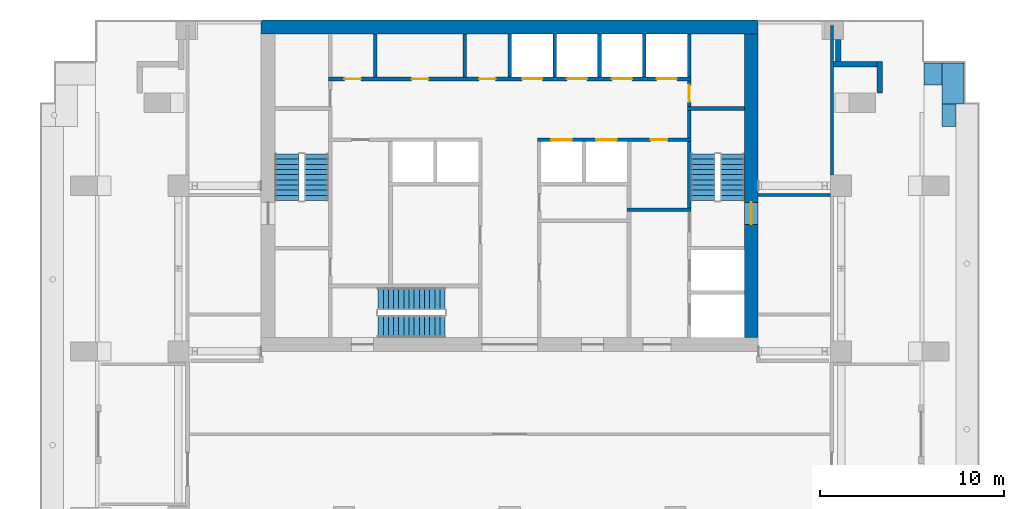
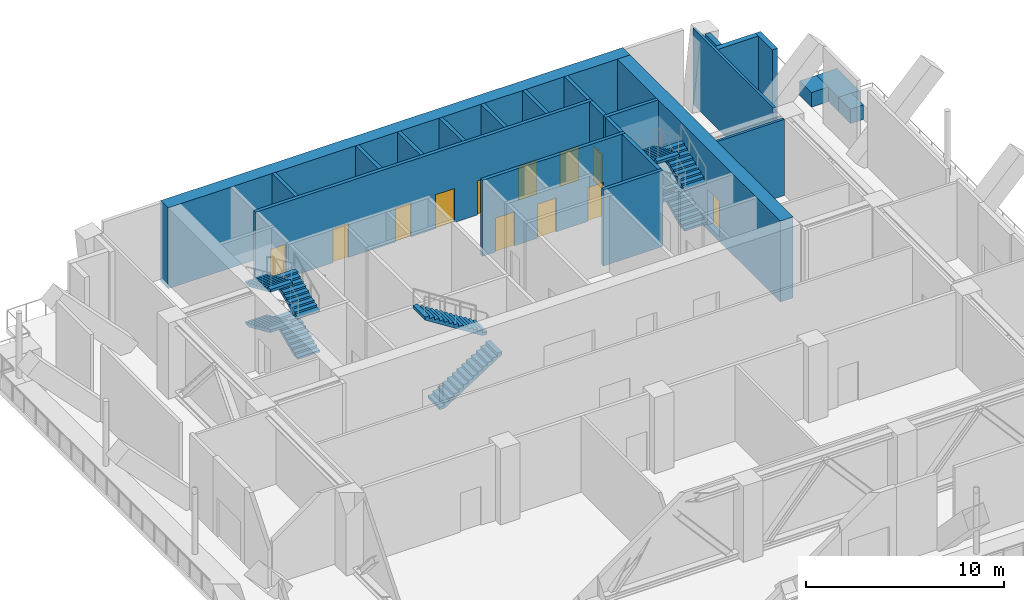
# One storey, part 5 of 9: 24 walls, 12 doors, 10 stair flights, 12 openings, 3 elements without a shape of their own.
"""IFC4 building model written with IfcOpenShell, lengths in metres."""

from ifc_helpers import new_model, si_unit, direction, frame, frame_2d, origin, place, context, subcontext, project, spatial, polyline, rectangle, outline, extrude, material, layer, layer_set, type_object, element, fill, aggregate, save


model = new_model("IFC4")

# Units and contexts
model_context = context("Model", 3, precision=1e-05, world=origin(), true_north=direction((0.0, 1.0)))
body_context = subcontext(model_context, "Body", "Model", "MODEL_VIEW")
ifc_project = project(units=[si_unit("LENGTHUNIT", "METRE"), si_unit("AREAUNIT", "SQUARE_METRE"), si_unit("VOLUMEUNIT", "CUBIC_METRE"), si_unit("PLANEANGLEUNIT", "RADIAN"), si_unit("MASSUNIT", "GRAM", prefix="KILO")], contexts=[model_context])

# Site, building, storey
site_placement = place(None, origin())
site = spatial("IfcSite", under=ifc_project, at=site_placement, CompositionType="ELEMENT")
building_placement = place(site_placement, origin())
building = spatial("IfcBuilding", under=site, at=building_placement, Name="Orbiselva Terraces", CompositionType="ELEMENT")
storey_placement = place(building_placement, frame((0.0, 0.0, 179.4)))
storey = spatial("IfcBuildingStorey", under=building, at=storey_placement, Name="L45", CompositionType="ELEMENT", Elevation=179.4)

# Wall, opening, door
ifc_material_1 = material(Name="Concrete C80/95", Category="concrete")
ifc_layer_1 = layer(ifc_material_1, 0.75)
ifc_layer_set_1 = layer_set([ifc_layer_1], Name="Concrete C80/95")
wall_type_1 = type_object("IfcWallType", Name="CORE WALL 750", PredefinedType="SHEAR", material=ifc_layer_set_1)
wall_1_placement = place(storey_placement, frame((13.125, 5.25, -0.3), z_axis=(0.0, 0.0, 1.0), x_axis=(0.0, 1.0, 0.0)))
wall_1 = element("IfcWall", 1, at=wall_1_placement, inside=storey, type_object=wall_type_1, Name="Core wall L45 east", PredefinedType="SHEAR", context=body_context, shape_type="SweptSolid", body=[
    extrude(rectangle(XDim=16.5, YDim=0.75, at=frame_2d((8.25, 0.0))), origin(), (0.0, 0.0, 1.0), 5.0),
])
opening_1_placement = place(wall_1_placement, frame((6.15, 0.0, 0.3)))
opening_1 = element("IfcOpeningElement", 2, at=opening_1_placement, cuts=wall_1, Name="Opening DS1200", PredefinedType="OPENING", context=body_context, shape_type="SweptSolid", body=[
    extrude(rectangle(XDim=1.2, YDim=2.2, at=frame_2d((0.6, 1.1))), frame((0.0, 0.385, 0.0), z_axis=(0.0, -1.0, 0.0), x_axis=(1.0, 0.0, 0.0)), (0.0, 0.0, 1.0), 0.77),
])
ifc_material_2 = material(Name="Steel fire door", Category="steel")
door_type_1 = type_object("IfcDoorType", Name="STAIR DOOR 1200", OperationType="NOTDEFINED", PredefinedType="DOOR", material=ifc_material_2)
door_1_placement = place(opening_1_placement, frame((1.2, 0.0, 0.0), z_axis=(0.0, 0.0, 1.0), x_axis=(-1.0, 0.0, 0.0)))
door_1 = element("IfcDoor", 3, at=door_1_placement, inside=storey, type_object=door_type_1, Name="L45 EXIT STAIR S2 door", OperationType="SINGLE_SWING_LEFT", OverallHeight=2.2, OverallWidth=1.2, PredefinedType="DOOR", context=body_context, shape_type="SweptSolid", body=[
    extrude(rectangle(XDim=1.2, YDim=2.2, at=frame_2d((0.6, 1.1))), frame((0.0, 0.025, 0.0), z_axis=(0.0, -1.0, 0.0), x_axis=(1.0, 0.0, 0.0)), (0.0, 0.0, 1.0), 0.05),
])
fill(opening_1, door_1)

# Walls
ifc_layer_2 = layer(ifc_material_1, 0.75)
ifc_layer_set_2 = layer_set([ifc_layer_2], Name="Concrete C80/95")
wall_type_2 = type_object("IfcWallType", Name="CORE WALL 750 EXTERNAL", PredefinedType="SHEAR", material=ifc_layer_set_2)
wall_2_placement = place(storey_placement, frame((13.5, 22.125, -0.3), z_axis=(0.0, 0.0, 1.0), x_axis=(-1.0, 0.0, 0.0)))
element("IfcWall", 4, at=wall_2_placement, inside=storey, type_object=wall_type_2, Name="Core wall L45 north", PredefinedType="SHEAR", context=body_context, shape_type="SweptSolid", body=[
    extrude(rectangle(XDim=27.0, YDim=0.75, at=frame_2d((13.5, 0.0))), origin(), (0.0, 0.0, 1.0), 5.0),
])
ifc_material_3 = material(Name="Masonry blockwork", Category="masonry")
ifc_layer_3 = layer(ifc_material_3, 0.2)
ifc_layer_set_3 = layer_set([ifc_layer_3], Name="Masonry blockwork")
wall_type_3 = type_object("IfcWallType", Name="CORE-WALL-PARTITION-200", PredefinedType="PARTITIONING", material=ifc_layer_set_3)
for number, where, z_axis, x_axis, name in (
    (5, (-7.3125, 19.4, 0.0), (0.0, 0.0, 1.0), (0.0, 1.0, 0.0), "L45 core wall 12"),
    (6, (-2.4375, 19.4, 0.0), (0.0, 0.0, 1.0), (0.0, 1.0, 0.0), "L45 core wall 17"),
):
    element("IfcWall", number, at=place(storey_placement, frame(where, z_axis=z_axis, x_axis=x_axis)), inside=storey, type_object=wall_type_3, Name=name, PredefinedType="PARTITIONING", context=body_context, shape_type="SweptSolid", body=[
        extrude(rectangle(XDim=2.35, YDim=0.2, at=frame_2d((1.175, 0.0))), origin(), (0.0, 0.0, 1.0), 4.7),
    ])

# Wall, opening, door
wall_3_placement = place(storey_placement, frame((9.75, 19.2, 0.0), z_axis=(0.0, 0.0, 1.0), x_axis=(0.0, -1.0, 0.0)))
wall_3 = element("IfcWall", 7, at=wall_3_placement, inside=storey, type_object=wall_type_3, Name="L45 core wall 45", PredefinedType="PARTITIONING", context=body_context, shape_type="SweptSolid", body=[
    extrude(rectangle(XDim=1.4, YDim=0.2, at=frame_2d((0.7, 0.0))), origin(), (0.0, 0.0, 1.0), 4.7),
])
opening_2_placement = place(wall_3_placement, frame((0.25, 0.0, 0.0)))
opening_2 = element("IfcOpeningElement", 8, at=opening_2_placement, cuts=wall_3, Name="Opening DR900", PredefinedType="OPENING", context=body_context, shape_type="SweptSolid", body=[
    extrude(rectangle(XDim=0.9, YDim=2.1, at=frame_2d((0.45, 1.05))), frame((0.0, 0.11, 0.0), z_axis=(0.0, -1.0, 0.0), x_axis=(1.0, 0.0, 0.0)), (0.0, 0.0, 1.0), 0.22),
])
door_type_2 = type_object("IfcDoorType", Name="ROOM DOOR 900", OperationType="NOTDEFINED", PredefinedType="DOOR", material=ifc_material_2)
door_2_placement = place(opening_2_placement, origin())
door_2 = element("IfcDoor", 9, at=door_2_placement, inside=storey, type_object=door_type_2, Name="L45 REFUGE STAIR LOBBY door", OperationType="SINGLE_SWING_RIGHT", OverallHeight=2.1, OverallWidth=0.9, PredefinedType="DOOR", context=body_context, shape_type="SweptSolid", body=[
    extrude(rectangle(XDim=0.9, YDim=2.1, at=frame_2d((0.45, 1.05))), frame((0.0, 0.025, 0.0), z_axis=(0.0, -1.0, 0.0), x_axis=(1.0, 0.0, 0.0)), (0.0, 0.0, 1.0), 0.05),
])
fill(opening_2, door_2)

# Walls
ifc_material_4 = material(Name="Concrete C40/50", Category="concrete")
ifc_layer_4 = layer(ifc_material_4, 0.2)
ifc_layer_set_4 = layer_set([ifc_layer_4], Name="Concrete C40/50")
wall_type_4 = type_object("IfcWallType", Name="CORE-WALL-SHAFT-200", PredefinedType="PARTITIONING", material=ifc_layer_set_4)
for number, where, z_axis, x_axis, name in (
    (10, (0.0, 19.4, 0.0), (0.0, 0.0, 1.0), (0.0, 1.0, 0.0), "L45 core wall 21"),
    (11, (2.4375, 19.4, 0.0), (0.0, 0.0, 1.0), (0.0, 1.0, 0.0), "L45 core wall 28"),
    (12, (4.875, 19.4, 0.0), (0.0, 0.0, 1.0), (0.0, 1.0, 0.0), "L45 core wall 30"),
    (13, (7.3125, 19.4, 0.0), (0.0, 0.0, 1.0), (0.0, 1.0, 0.0), "L45 core wall 36"),
    (14, (9.75, 19.4, 0.0), (0.0, 0.0, 1.0), (0.0, 1.0, 0.0), "L45 core wall 46"),
):
    element("IfcWall", number, at=place(storey_placement, frame(where, z_axis=z_axis, x_axis=x_axis)), inside=storey, type_object=wall_type_4, Name=name, PredefinedType="PARTITIONING", context=body_context, shape_type="SweptSolid", body=[
        extrude(rectangle(XDim=2.35, YDim=0.2, at=frame_2d((1.175, 0.0))), origin(), (0.0, 0.0, 1.0), 4.7),
    ])

# Wall, openings, doors
ifc_material_5 = material(Name="Concrete C60/75", Category="concrete")
ifc_layer_5 = layer(ifc_material_5, 0.2)
ifc_layer_set_5 = layer_set([ifc_layer_5], Name="Concrete C60/75")
wall_type_5 = type_object("IfcWallType", Name="CORE-WALL-SHEAR-200", PredefinedType="SHEAR", material=ifc_layer_set_5)
wall_4_placement = place(storey_placement, frame((-9.85, 19.3, 0.0), z_axis=(0.0, 0.0, 1.0), x_axis=(1.0, 0.0, 0.0)))
wall_4 = element("IfcWall", 15, at=wall_4_placement, inside=storey, type_object=wall_type_5, Name="L45 core wall 10", PredefinedType="SHEAR", context=body_context, shape_type="SweptSolid", body=[
    extrude(rectangle(XDim=19.7, YDim=0.2, at=frame_2d((9.85, 0.0))), origin(), (0.0, 0.0, 1.0), 4.7),
])
opening_3_placement = place(wall_4_placement, frame((10.51875, 0.0, 0.0)))
opening_3 = element("IfcOpeningElement", 16, at=opening_3_placement, cuts=wall_4, Name="Opening LD-HR1", PredefinedType="OPENING", context=body_context, shape_type="SweptSolid", body=[
    extrude(rectangle(XDim=1.1, YDim=2.1, at=frame_2d((0.55, 1.05))), frame((0.0, 0.11, 0.0), z_axis=(0.0, -1.0, 0.0), x_axis=(1.0, 0.0, 0.0)), (0.0, 0.0, 1.0), 0.22),
])
opening_4_placement = place(wall_4_placement, frame((12.95625, 0.0, 0.0)))
opening_4 = element("IfcOpeningElement", 17, at=opening_4_placement, cuts=wall_4, Name="Opening LD-HR2", PredefinedType="OPENING", context=body_context, shape_type="SweptSolid", body=[
    extrude(rectangle(XDim=1.1, YDim=2.1, at=frame_2d((0.55, 1.05))), frame((0.0, 0.11, 0.0), z_axis=(0.0, -1.0, 0.0), x_axis=(1.0, 0.0, 0.0)), (0.0, 0.0, 1.0), 0.22),
])
opening_5_placement = place(wall_4_placement, frame((15.39375, 0.0, 0.0)))
opening_5 = element("IfcOpeningElement", 18, at=opening_5_placement, cuts=wall_4, Name="Opening LD-HR3", PredefinedType="OPENING", context=body_context, shape_type="SweptSolid", body=[
    extrude(rectangle(XDim=1.1, YDim=2.1, at=frame_2d((0.55, 1.05))), frame((0.0, 0.11, 0.0), z_axis=(0.0, -1.0, 0.0), x_axis=(1.0, 0.0, 0.0)), (0.0, 0.0, 1.0), 0.22),
])
opening_6_placement = place(wall_4_placement, frame((17.83125, 0.0, 0.0)))
opening_6 = element("IfcOpeningElement", 19, at=opening_6_placement, cuts=wall_4, Name="Opening LD-HR4", PredefinedType="OPENING", context=body_context, shape_type="SweptSolid", body=[
    extrude(rectangle(XDim=1.1, YDim=2.1, at=frame_2d((0.55, 1.05))), frame((0.0, 0.11, 0.0), z_axis=(0.0, -1.0, 0.0), x_axis=(1.0, 0.0, 0.0)), (0.0, 0.0, 1.0), 0.22),
])
opening_7_placement = place(wall_4_placement, frame((0.8688, 0.0, 0.0)))
opening_7 = element("IfcOpeningElement", 20, at=opening_7_placement, cuts=wall_4, Name="Opening DR900", PredefinedType="OPENING", context=body_context, shape_type="SweptSolid", body=[
    extrude(rectangle(XDim=0.9, YDim=2.1, at=frame_2d((0.45, 1.05))), frame((0.0, 0.11, 0.0), z_axis=(0.0, -1.0, 0.0), x_axis=(1.0, 0.0, 0.0)), (0.0, 0.0, 1.0), 0.22),
])
opening_8_placement = place(wall_4_placement, frame((4.525, 0.0, 0.0)))
opening_8 = element("IfcOpeningElement", 21, at=opening_8_placement, cuts=wall_4, Name="Opening DR900", PredefinedType="OPENING", context=body_context, shape_type="SweptSolid", body=[
    extrude(rectangle(XDim=0.9, YDim=2.1, at=frame_2d((0.45, 1.05))), frame((0.0, 0.11, 0.0), z_axis=(0.0, -1.0, 0.0), x_axis=(1.0, 0.0, 0.0)), (0.0, 0.0, 1.0), 0.22),
])
opening_9_placement = place(wall_4_placement, frame((8.1812, 0.0, 0.0)))
opening_9 = element("IfcOpeningElement", 22, at=opening_9_placement, cuts=wall_4, Name="Opening DR900", PredefinedType="OPENING", context=body_context, shape_type="SweptSolid", body=[
    extrude(rectangle(XDim=0.9, YDim=2.1, at=frame_2d((0.45, 1.05))), frame((0.0, 0.11, 0.0), z_axis=(0.0, -1.0, 0.0), x_axis=(1.0, 0.0, 0.0)), (0.0, 0.0, 1.0), 0.22),
])
ifc_material_6 = material(Name="Stainless steel landing door", Category="steel")
door_type_3 = type_object("IfcDoorType", Name="LANDING DOOR 1100", OperationType="SLIDING_TO_LEFT", PredefinedType="DOOR", material=ifc_material_6)
door_3_placement = place(opening_3_placement, origin())
door_3 = element("IfcDoor", 23, at=door_3_placement, inside=storey, type_object=door_type_3, Name="L45 landing door HR1", OperationType="SLIDING_TO_RIGHT", OverallHeight=2.1, OverallWidth=1.1, PredefinedType="DOOR", context=body_context, shape_type="SweptSolid", body=[
    extrude(rectangle(XDim=1.1, YDim=2.1, at=frame_2d((0.55, 1.05))), frame((0.0, 0.025, 0.0), z_axis=(0.0, -1.0, 0.0), x_axis=(1.0, 0.0, 0.0)), (0.0, 0.0, 1.0), 0.05),
])
fill(opening_3, door_3)
door_4_placement = place(opening_4_placement, origin())
door_4 = element("IfcDoor", 24, at=door_4_placement, inside=storey, type_object=door_type_3, Name="L45 landing door HR2", OperationType="SLIDING_TO_RIGHT", OverallHeight=2.1, OverallWidth=1.1, PredefinedType="DOOR", context=body_context, shape_type="SweptSolid", body=[
    extrude(rectangle(XDim=1.1, YDim=2.1, at=frame_2d((0.55, 1.05))), frame((0.0, 0.025, 0.0), z_axis=(0.0, -1.0, 0.0), x_axis=(1.0, 0.0, 0.0)), (0.0, 0.0, 1.0), 0.05),
])
fill(opening_4, door_4)
door_5_placement = place(opening_5_placement, origin())
door_5 = element("IfcDoor", 25, at=door_5_placement, inside=storey, type_object=door_type_3, Name="L45 landing door HR3", OperationType="SLIDING_TO_RIGHT", OverallHeight=2.1, OverallWidth=1.1, PredefinedType="DOOR", context=body_context, shape_type="SweptSolid", body=[
    extrude(rectangle(XDim=1.1, YDim=2.1, at=frame_2d((0.55, 1.05))), frame((0.0, 0.025, 0.0), z_axis=(0.0, -1.0, 0.0), x_axis=(1.0, 0.0, 0.0)), (0.0, 0.0, 1.0), 0.05),
])
fill(opening_5, door_5)
door_6_placement = place(opening_6_placement, origin())
door_6 = element("IfcDoor", 26, at=door_6_placement, inside=storey, type_object=door_type_3, Name="L45 landing door HR4", OperationType="SLIDING_TO_RIGHT", OverallHeight=2.1, OverallWidth=1.1, PredefinedType="DOOR", context=body_context, shape_type="SweptSolid", body=[
    extrude(rectangle(XDim=1.1, YDim=2.1, at=frame_2d((0.55, 1.05))), frame((0.0, 0.025, 0.0), z_axis=(0.0, -1.0, 0.0), x_axis=(1.0, 0.0, 0.0)), (0.0, 0.0, 1.0), 0.05),
])
fill(opening_6, door_6)
door_7_placement = place(opening_7_placement, origin())
door_7 = element("IfcDoor", 27, at=door_7_placement, inside=storey, type_object=door_type_2, Name="L45 STORE door", OperationType="SINGLE_SWING_LEFT", OverallHeight=2.1, OverallWidth=0.9, PredefinedType="DOOR", context=body_context, shape_type="SweptSolid", body=[
    extrude(rectangle(XDim=0.9, YDim=2.1, at=frame_2d((0.45, 1.05))), frame((0.0, 0.025, 0.0), z_axis=(0.0, -1.0, 0.0), x_axis=(1.0, 0.0, 0.0)), (0.0, 0.0, 1.0), 0.05),
])
fill(opening_7, door_7)
door_8_placement = place(opening_8_placement, origin())
door_8 = element("IfcDoor", 28, at=door_8_placement, inside=storey, type_object=door_type_2, Name="L45 IT ROOM door", OperationType="SINGLE_SWING_LEFT", OverallHeight=2.1, OverallWidth=0.9, PredefinedType="DOOR", context=body_context, shape_type="SweptSolid", body=[
    extrude(rectangle(XDim=0.9, YDim=2.1, at=frame_2d((0.45, 1.05))), frame((0.0, 0.025, 0.0), z_axis=(0.0, -1.0, 0.0), x_axis=(1.0, 0.0, 0.0)), (0.0, 0.0, 1.0), 0.05),
])
fill(opening_8, door_8)
door_9_placement = place(opening_9_placement, origin())
door_9 = element("IfcDoor", 29, at=door_9_placement, inside=storey, type_object=door_type_2, Name="L45 CLEANERS STORE door", OperationType="SINGLE_SWING_LEFT", OverallHeight=2.1, OverallWidth=0.9, PredefinedType="DOOR", context=body_context, shape_type="SweptSolid", body=[
    extrude(rectangle(XDim=0.9, YDim=2.1, at=frame_2d((0.45, 1.05))), frame((0.0, 0.025, 0.0), z_axis=(0.0, -1.0, 0.0), x_axis=(1.0, 0.0, 0.0)), (0.0, 0.0, 1.0), 0.05),
])
fill(opening_9, door_9)

wall_5_placement = place(storey_placement, frame((9.85, 16.0, 0.0), z_axis=(0.0, 0.0, 1.0), x_axis=(-1.0, 0.0, 0.0)))
wall_5 = element("IfcWall", 30, at=wall_5_placement, inside=storey, type_object=wall_type_5, Name="L45 core wall 27", PredefinedType="SHEAR", context=body_context, shape_type="SweptSolid", body=[
    extrude(rectangle(XDim=8.35, YDim=0.2, at=frame_2d((4.175, 0.0))), origin(), (0.0, 0.0, 1.0), 4.7),
])
opening_10_placement = place(wall_5_placement, frame((6.48125, 0.0, 0.0)))
opening_10 = element("IfcOpeningElement", 31, at=opening_10_placement, cuts=wall_5, Name="Opening LD-HR5", PredefinedType="OPENING", context=body_context, shape_type="SweptSolid", body=[
    extrude(rectangle(XDim=1.1, YDim=2.1, at=frame_2d((0.55, 1.05))), frame((0.0, 0.11, 0.0), z_axis=(0.0, -1.0, 0.0), x_axis=(1.0, 0.0, 0.0)), (0.0, 0.0, 1.0), 0.22),
])
opening_11_placement = place(wall_5_placement, frame((4.04375, 0.0, 0.0)))
opening_11 = element("IfcOpeningElement", 32, at=opening_11_placement, cuts=wall_5, Name="Opening LD-HR6", PredefinedType="OPENING", context=body_context, shape_type="SweptSolid", body=[
    extrude(rectangle(XDim=1.1, YDim=2.1, at=frame_2d((0.55, 1.05))), frame((0.0, 0.11, 0.0), z_axis=(0.0, -1.0, 0.0), x_axis=(1.0, 0.0, 0.0)), (0.0, 0.0, 1.0), 0.22),
])
opening_12_placement = place(wall_5_placement, frame((1.2875, 0.0, 0.0)))
opening_12 = element("IfcOpeningElement", 33, at=opening_12_placement, cuts=wall_5, Name="Opening DR900", PredefinedType="OPENING", context=body_context, shape_type="SweptSolid", body=[
    extrude(rectangle(XDim=0.9, YDim=2.1, at=frame_2d((0.45, 1.05))), frame((0.0, 0.11, 0.0), z_axis=(0.0, -1.0, 0.0), x_axis=(1.0, 0.0, 0.0)), (0.0, 0.0, 1.0), 0.22),
])
door_10_placement = place(opening_10_placement, origin())
door_10 = element("IfcDoor", 34, at=door_10_placement, inside=storey, type_object=door_type_3, Name="L45 landing door HR5", OperationType="SLIDING_TO_RIGHT", OverallHeight=2.1, OverallWidth=1.1, PredefinedType="DOOR", context=body_context, shape_type="SweptSolid", body=[
    extrude(rectangle(XDim=1.1, YDim=2.1, at=frame_2d((0.55, 1.05))), frame((0.0, 0.025, 0.0), z_axis=(0.0, -1.0, 0.0), x_axis=(1.0, 0.0, 0.0)), (0.0, 0.0, 1.0), 0.05),
])
fill(opening_10, door_10)
door_11_placement = place(opening_11_placement, origin())
door_11 = element("IfcDoor", 35, at=door_11_placement, inside=storey, type_object=door_type_3, Name="L45 landing door HR6", OperationType="SLIDING_TO_RIGHT", OverallHeight=2.1, OverallWidth=1.1, PredefinedType="DOOR", context=body_context, shape_type="SweptSolid", body=[
    extrude(rectangle(XDim=1.1, YDim=2.1, at=frame_2d((0.55, 1.05))), frame((0.0, 0.025, 0.0), z_axis=(0.0, -1.0, 0.0), x_axis=(1.0, 0.0, 0.0)), (0.0, 0.0, 1.0), 0.05),
])
fill(opening_11, door_11)
door_12_placement = place(opening_12_placement, origin())
door_12 = element("IfcDoor", 36, at=door_12_placement, inside=storey, type_object=door_type_2, Name="L45 MECHANICAL VENTILATION ROOM door", OperationType="SINGLE_SWING_LEFT", OverallHeight=2.1, OverallWidth=0.9, PredefinedType="DOOR", context=body_context, shape_type="SweptSolid", body=[
    extrude(rectangle(XDim=0.9, YDim=2.1, at=frame_2d((0.45, 1.05))), frame((0.0, 0.025, 0.0), z_axis=(0.0, -1.0, 0.0), x_axis=(1.0, 0.0, 0.0)), (0.0, 0.0, 1.0), 0.05),
])
fill(opening_12, door_12)

# Walls
wall_6_placement = place(storey_placement, frame((6.375, 12.2, 0.0), z_axis=(0.0, 0.0, 1.0), x_axis=(1.0, 0.0, 0.0)))
element("IfcWall", 37, at=wall_6_placement, inside=storey, type_object=wall_type_5, Name="L45 core wall 33", PredefinedType="SHEAR", context=body_context, shape_type="SweptSolid", body=[
    extrude(rectangle(XDim=3.475, YDim=0.2, at=frame_2d((1.7375, 0.0))), origin(), (0.0, 0.0, 1.0), 4.7),
])
wall_7_placement = place(storey_placement, frame((9.75, 12.3, 0.0), z_axis=(0.0, 0.0, 1.0), x_axis=(0.0, 1.0, 0.0)))
element("IfcWall", 38, at=wall_7_placement, inside=storey, type_object=wall_type_5, Name="L45 core wall 42", PredefinedType="SHEAR", context=body_context, shape_type="SweptSolid", body=[
    extrude(rectangle(XDim=3.6, YDim=0.2, at=frame_2d((1.8, 0.0))), origin(), (0.0, 0.0, 1.0), 4.7),
])
wall_8_placement = place(storey_placement, frame((9.75, 16.1, 0.0), z_axis=(0.0, 0.0, 1.0), x_axis=(0.0, 1.0, 0.0)))
element("IfcWall", 39, at=wall_8_placement, inside=storey, type_object=wall_type_5, Name="L45 core wall 43", PredefinedType="SHEAR", context=body_context, shape_type="SweptSolid", body=[
    extrude(rectangle(XDim=1.5, YDim=0.2, at=frame_2d((0.75, 0.0))), origin(), (0.0, 0.0, 1.0), 4.7),
])
wall_9_placement = place(storey_placement, frame((9.65, 17.7, 0.0), z_axis=(0.0, 0.0, 1.0), x_axis=(1.0, 0.0, 0.0)))
element("IfcWall", 40, at=wall_9_placement, inside=storey, type_object=wall_type_5, Name="L45 core wall 44", PredefinedType="SHEAR", context=body_context, shape_type="SweptSolid", body=[
    extrude(rectangle(XDim=3.1, YDim=0.2, at=frame_2d((1.55, 0.0))), origin(), (0.0, 0.0, 1.0), 4.7),
])
ifc_layer_6 = layer(ifc_material_4, 1.2)
ifc_layer_set_6 = layer_set([ifc_layer_6], Name="Concrete C40/50")
wall_type_6 = type_object("IfcWallType", Name="ENV-GARDEN-BED-1200x900", PredefinedType="USERDEFINED", material=ifc_layer_set_6)
wall_10_placement = place(storey_placement, frame((24.23, 17.33, 0.0), z_axis=(0.0, 0.0, 1.0), x_axis=(-1.0, 0.0, 0.0)))
element("IfcWall", 41, at=wall_10_placement, inside=storey, type_object=wall_type_6, Name="Planter bed L45 ring", ObjectType="PLANTER", PredefinedType="USERDEFINED", context=body_context, shape_type="SweptSolid", body=[
    extrude(rectangle(XDim=0.75, YDim=1.2, at=frame_2d((0.375, 0.0))), origin(), (0.0, 0.0, 1.0), 0.9),
])
wall_11_placement = place(storey_placement, frame((24.08, 17.93, 0.0), z_axis=(0.0, 0.0, 1.0), x_axis=(0.0, 1.0, 0.0)))
element("IfcWall", 42, at=wall_11_placement, inside=storey, type_object=wall_type_6, Name="Planter bed L45 ring", ObjectType="PLANTER", PredefinedType="USERDEFINED", context=body_context, shape_type="SweptSolid", body=[
    extrude(rectangle(XDim=2.25, YDim=1.2, at=frame_2d((1.125, 0.0))), origin(), (0.0, 0.0, 1.0), 0.9),
])
wall_12_placement = place(storey_placement, frame((23.48, 19.58, 0.0), z_axis=(0.0, 0.0, 1.0), x_axis=(-1.0, 0.0, 0.0)))
element("IfcWall", 43, at=wall_12_placement, inside=storey, type_object=wall_type_6, Name="Planter bed L45 ring", ObjectType="PLANTER", PredefinedType="USERDEFINED", context=body_context, shape_type="SweptSolid", body=[
    extrude(rectangle(XDim=0.98, YDim=1.2, at=frame_2d((0.49, 0.0))), origin(), (0.0, 0.0, 1.0), 0.9),
])
ifc_material_7 = material(Name="Terracotta cladding on masonry backing", Category="masonry")
ifc_layer_7 = layer(ifc_material_7, 0.3)
ifc_layer_set_7 = layer_set([ifc_layer_7], Name="Terracotta cladding on masonry backing")
wall_type_7 = type_object("IfcWallType", Name="ENV-WALL-TERRACOTTA-300", PredefinedType="SOLIDWALL", material=ifc_layer_set_7)
wall_13_placement = place(storey_placement, frame((20.1, 20.25, 0.0), z_axis=(0.0, 0.0, 1.0), x_axis=(0.0, -1.0, 0.0)))
element("IfcWall", 44, at=wall_13_placement, inside=storey, type_object=wall_type_7, Name="Facade wall L45 STEP", PredefinedType="SOLIDWALL", context=body_context, shape_type="SweptSolid", body=[
    extrude(rectangle(XDim=1.725, YDim=0.3, at=frame_2d((0.8625, 0.0))), origin(), (0.0, 0.0, 1.0), 4.7),
])
wall_14_placement = place(storey_placement, frame((17.575, 20.1, 0.0), z_axis=(0.0, 0.0, 1.0), x_axis=(1.0, 0.0, 0.0)))
element("IfcWall", 45, at=wall_14_placement, inside=storey, type_object=wall_type_7, Name="Facade wall L45 STEP", PredefinedType="SOLIDWALL", context=body_context, shape_type="SweptSolid", body=[
    extrude(rectangle(XDim=2.375, YDim=0.3, at=frame_2d((1.1875, 0.0))), origin(), (0.0, 0.0, 1.0), 4.7),
])
wall_15_placement = place(storey_placement, frame((17.85, 21.45, 0.0), z_axis=(0.0, 0.0, 1.0), x_axis=(0.0, -1.0, 0.0)))
element("IfcWall", 46, at=wall_15_placement, inside=storey, type_object=wall_type_7, Name="Facade wall L45 STEP", PredefinedType="SOLIDWALL", context=body_context, shape_type="SweptSolid", body=[
    extrude(rectangle(XDim=1.2, YDim=0.3, at=frame_2d((0.6, 0.0))), origin(), (0.0, 0.0, 1.0), 4.7),
])
ifc_material_8 = material(Name="Plasterboard on steel stud partition", Category="steel")
ifc_layer_8 = layer(ifc_material_8, 0.15)
ifc_layer_set_8 = layer_set([ifc_layer_8], Name="Plasterboard on steel stud partition")
wall_type_8 = type_object("IfcWallType", Name="UNIT-PARTITION-150", PredefinedType="PARTITIONING", material=ifc_layer_set_8)
wall_16_placement = place(storey_placement, frame((13.5, 13.0, 0.0), z_axis=(0.0, 0.0, 1.0), x_axis=(1.0, 0.0, 0.0)))
element("IfcWall", 47, at=wall_16_placement, inside=storey, type_object=wall_type_8, Name="PARTITION L45-019", PredefinedType="PARTITIONING", context=body_context, shape_type="SweptSolid", body=[
    extrude(rectangle(XDim=3.925, YDim=0.15, at=frame_2d((1.9625, 0.0))), origin(), (0.0, 0.0, 1.0), 4.7),
])
wall_17_placement = place(storey_placement, frame((17.5, 14.075, 0.0), z_axis=(0.0, 0.0, 1.0), x_axis=(0.0, 1.0, 0.0)))
element("IfcWall", 48, at=wall_17_placement, inside=storey, type_object=wall_type_8, Name="PARTITION L45-033", PredefinedType="PARTITIONING", context=body_context, shape_type="SweptSolid", body=[
    extrude(rectangle(XDim=8.125, YDim=0.15, at=frame_2d((4.0625, 0.0))), origin(), (0.0, 0.0, 1.0), 4.7),
])

# Stair, stair flights
stair_type_1 = type_object("IfcStairType", Name="CORE-STAIR-1200", PredefinedType="HALF_TURN_STAIR", material=ifc_material_4)
stair_1_placement = place(storey_placement, origin())
stair_1 = element("IfcStair", 49, at=stair_1_placement, inside=storey, type_object=stair_type_1, Name="L45 Exit Stair S3", PredefinedType="HALF_TURN_STAIR")
stair_flight_type_1 = type_object("IfcStairFlightType", Name="CORE-STAIR-FLIGHT-1200", PredefinedType="STRAIGHT", material=ifc_material_4)
stair_flight_1_placement = place(storey_placement, frame((-7.15, 5.85, 0.0), z_axis=(0.0, 0.0, 1.0), x_axis=(1.0, 0.0, 0.0)))
stair_flight_1 = element("IfcStairFlight", 50, at=stair_flight_1_placement, type_object=stair_flight_type_1, Name="S3 flight 1", NumberOfRisers=14, NumberOfTreads=13, PredefinedType="STRAIGHT", RiserHeight=0.178571429, TreadLength=0.28, context=body_context, shape_type="SweptSolid", body=[
    extrude(outline(polyline([(0.0, 0.0), (0.0, 0.178571), (0.28, 0.178571), (0.28, 0.357143), (0.56, 0.357143), (0.56, 0.535714), (0.84, 0.535714), (0.84, 0.714286), (1.12, 0.714286), (1.12, 0.892857), (1.4, 0.892857), (1.4, 1.071429), (1.68, 1.071429), (1.68, 1.25), (1.96, 1.25), (1.96, 1.428571), (2.24, 1.428571), (2.24, 1.607143), (2.52, 1.607143), (2.52, 1.785714), (2.8, 1.785714), (2.8, 1.964286), (3.08, 1.964286), (3.08, 2.142857), (3.36, 2.142857), (3.36, 2.321429), (3.64, 2.321429), (3.64, 2.5), (3.64, 2.14352), (0.278961, 0.0), (0.0, 0.0)])), frame((0.0, 0.6, 0.0), z_axis=(0.0, -1.0, 0.0), x_axis=(1.0, 0.0, 0.0)), (0.0, 0.0, 1.0), 1.2),
])
stair_flight_2_placement = place(storey_placement, frame((-3.51, 7.35, 2.5), z_axis=(0.0, 0.0, 1.0), x_axis=(-1.0, 0.0, 0.0)))
stair_flight_2 = element("IfcStairFlight", 51, at=stair_flight_2_placement, type_object=stair_flight_type_1, Name="S3 flight 2", NumberOfRisers=14, NumberOfTreads=13, PredefinedType="STRAIGHT", RiserHeight=0.178571429, TreadLength=0.28, context=body_context, shape_type="SweptSolid", body=[
    extrude(outline(polyline([(0.0, 0.0), (0.0, 0.178571), (0.28, 0.178571), (0.28, 0.357143), (0.56, 0.357143), (0.56, 0.535714), (0.84, 0.535714), (0.84, 0.714286), (1.12, 0.714286), (1.12, 0.892857), (1.4, 0.892857), (1.4, 1.071429), (1.68, 1.071429), (1.68, 1.25), (1.96, 1.25), (1.96, 1.428571), (2.24, 1.428571), (2.24, 1.607143), (2.52, 1.607143), (2.52, 1.785714), (2.8, 1.785714), (2.8, 1.964286), (3.08, 1.964286), (3.08, 2.142857), (3.36, 2.142857), (3.36, 2.321429), (3.64, 2.321429), (3.64, 2.5), (3.64, 2.14352), (0.278961, 0.0), (0.0, 0.0)])), frame((0.0, 0.6, 0.0), z_axis=(0.0, -1.0, 0.0), x_axis=(1.0, 0.0, 0.0)), (0.0, 0.0, 1.0), 1.2),
])
aggregate(stair_1, [stair_flight_1, stair_flight_2])

stair_type_2 = type_object("IfcStairType", Name="CORE-STAIR-1300", PredefinedType="HALF_TURN_STAIR", material=ifc_material_4)
stair_2_placement = place(storey_placement, origin())
stair_2 = element("IfcStair", 52, at=stair_2_placement, inside=storey, type_object=stair_type_2, Name="L45 Exit Stair S1", PredefinedType="HALF_TURN_STAIR")
stair_flight_type_2 = type_object("IfcStairFlightType", Name="CORE-STAIR-FLIGHT-1300", PredefinedType="STRAIGHT", material=ifc_material_4)
stair_flight_3_placement = place(storey_placement, frame((-10.5, 12.7, 0.0), z_axis=(0.0, 0.0, 1.0), x_axis=(0.0, 1.0, 0.0)))
stair_flight_3 = element("IfcStairFlight", 53, at=stair_flight_3_placement, type_object=stair_flight_type_2, Name="S1 flight 1", NumberOfRisers=10, NumberOfTreads=9, PredefinedType="STRAIGHT", RiserHeight=0.125, TreadLength=0.28, context=body_context, shape_type="SweptSolid", body=[
    extrude(outline(polyline([(0.0, 0.0), (0.0, 0.125), (0.28, 0.125), (0.28, 0.25), (0.56, 0.25), (0.56, 0.375), (0.84, 0.375), (0.84, 0.5), (1.12, 0.5), (1.12, 0.625), (1.4, 0.625), (1.4, 0.75), (1.68, 0.75), (1.68, 0.875), (1.96, 0.875), (1.96, 1.0), (2.24, 1.0), (2.24, 1.125), (2.52, 1.125), (2.52, 1.25), (2.52, 0.960731), (0.367962, 0.0), (0.0, 0.0)])), frame((0.0, 0.65, 0.0), z_axis=(0.0, -1.0, 0.0), x_axis=(1.0, 0.0, 0.0)), (0.0, 0.0, 1.0), 1.3),
])
stair_flight_4_placement = place(storey_placement, frame((-12.1, 15.22, 1.25), z_axis=(0.0, 0.0, 1.0), x_axis=(0.0, -1.0, 0.0)))
stair_flight_4 = element("IfcStairFlight", 54, at=stair_flight_4_placement, type_object=stair_flight_type_2, Name="S1 flight 2", NumberOfRisers=10, NumberOfTreads=9, PredefinedType="STRAIGHT", RiserHeight=0.125, TreadLength=0.28, context=body_context, shape_type="SweptSolid", body=[
    extrude(outline(polyline([(0.0, 0.0), (0.0, 0.125), (0.28, 0.125), (0.28, 0.25), (0.56, 0.25), (0.56, 0.375), (0.84, 0.375), (0.84, 0.5), (1.12, 0.5), (1.12, 0.625), (1.4, 0.625), (1.4, 0.75), (1.68, 0.75), (1.68, 0.875), (1.96, 0.875), (1.96, 1.0), (2.24, 1.0), (2.24, 1.125), (2.52, 1.125), (2.52, 1.25), (2.52, 0.960731), (0.367962, 0.0), (0.0, 0.0)])), frame((0.0, 0.65, 0.0), z_axis=(0.0, -1.0, 0.0), x_axis=(1.0, 0.0, 0.0)), (0.0, 0.0, 1.0), 1.3),
])
stair_flight_5_placement = place(storey_placement, frame((-10.5, 12.7, 2.5), z_axis=(0.0, 0.0, 1.0), x_axis=(0.0, 1.0, 0.0)))
stair_flight_5 = element("IfcStairFlight", 55, at=stair_flight_5_placement, type_object=stair_flight_type_2, Name="S1 flight 3", NumberOfRisers=10, NumberOfTreads=9, PredefinedType="STRAIGHT", RiserHeight=0.125, TreadLength=0.28, context=body_context, shape_type="SweptSolid", body=[
    extrude(outline(polyline([(0.0, 0.0), (0.0, 0.125), (0.28, 0.125), (0.28, 0.25), (0.56, 0.25), (0.56, 0.375), (0.84, 0.375), (0.84, 0.5), (1.12, 0.5), (1.12, 0.625), (1.4, 0.625), (1.4, 0.75), (1.68, 0.75), (1.68, 0.875), (1.96, 0.875), (1.96, 1.0), (2.24, 1.0), (2.24, 1.125), (2.52, 1.125), (2.52, 1.25), (2.52, 0.960731), (0.367962, 0.0), (0.0, 0.0)])), frame((0.0, 0.65, 0.0), z_axis=(0.0, -1.0, 0.0), x_axis=(1.0, 0.0, 0.0)), (0.0, 0.0, 1.0), 1.3),
])
stair_flight_6_placement = place(storey_placement, frame((-12.1, 15.22, 3.75), z_axis=(0.0, 0.0, 1.0), x_axis=(0.0, -1.0, 0.0)))
stair_flight_6 = element("IfcStairFlight", 56, at=stair_flight_6_placement, type_object=stair_flight_type_2, Name="S1 flight 4", NumberOfRisers=10, NumberOfTreads=9, PredefinedType="STRAIGHT", RiserHeight=0.125, TreadLength=0.28, context=body_context, shape_type="SweptSolid", body=[
    extrude(outline(polyline([(0.0, 0.0), (0.0, 0.125), (0.28, 0.125), (0.28, 0.25), (0.56, 0.25), (0.56, 0.375), (0.84, 0.375), (0.84, 0.5), (1.12, 0.5), (1.12, 0.625), (1.4, 0.625), (1.4, 0.75), (1.68, 0.75), (1.68, 0.875), (1.96, 0.875), (1.96, 1.0), (2.24, 1.0), (2.24, 1.125), (2.52, 1.125), (2.52, 1.25), (2.52, 0.960731), (0.367962, 0.0), (0.0, 0.0)])), frame((0.0, 0.65, 0.0), z_axis=(0.0, -1.0, 0.0), x_axis=(1.0, 0.0, 0.0)), (0.0, 0.0, 1.0), 1.3),
])
aggregate(stair_2, [stair_flight_3, stair_flight_4, stair_flight_5, stair_flight_6])

stair_3_placement = place(storey_placement, origin())
stair_3 = element("IfcStair", 57, at=stair_3_placement, inside=storey, type_object=stair_type_2, Name="L45 Exit Stair S2", PredefinedType="HALF_TURN_STAIR")
stair_flight_7_placement = place(storey_placement, frame((12.1, 12.7, 0.0), z_axis=(0.0, 0.0, 1.0), x_axis=(0.0, 1.0, 0.0)))
stair_flight_7 = element("IfcStairFlight", 58, at=stair_flight_7_placement, type_object=stair_flight_type_2, Name="S2 flight 1", NumberOfRisers=10, NumberOfTreads=9, PredefinedType="STRAIGHT", RiserHeight=0.125, TreadLength=0.28, context=body_context, shape_type="SweptSolid", body=[
    extrude(outline(polyline([(0.0, 0.0), (0.0, 0.125), (0.28, 0.125), (0.28, 0.25), (0.56, 0.25), (0.56, 0.375), (0.84, 0.375), (0.84, 0.5), (1.12, 0.5), (1.12, 0.625), (1.4, 0.625), (1.4, 0.75), (1.68, 0.75), (1.68, 0.875), (1.96, 0.875), (1.96, 1.0), (2.24, 1.0), (2.24, 1.125), (2.52, 1.125), (2.52, 1.25), (2.52, 0.960731), (0.367962, 0.0), (0.0, 0.0)])), frame((0.0, 0.65, 0.0), z_axis=(0.0, -1.0, 0.0), x_axis=(1.0, 0.0, 0.0)), (0.0, 0.0, 1.0), 1.3),
])
stair_flight_8_placement = place(storey_placement, frame((10.5, 15.22, 1.25), z_axis=(0.0, 0.0, 1.0), x_axis=(0.0, -1.0, 0.0)))
stair_flight_8 = element("IfcStairFlight", 59, at=stair_flight_8_placement, type_object=stair_flight_type_2, Name="S2 flight 2", NumberOfRisers=10, NumberOfTreads=9, PredefinedType="STRAIGHT", RiserHeight=0.125, TreadLength=0.28, context=body_context, shape_type="SweptSolid", body=[
    extrude(outline(polyline([(0.0, 0.0), (0.0, 0.125), (0.28, 0.125), (0.28, 0.25), (0.56, 0.25), (0.56, 0.375), (0.84, 0.375), (0.84, 0.5), (1.12, 0.5), (1.12, 0.625), (1.4, 0.625), (1.4, 0.75), (1.68, 0.75), (1.68, 0.875), (1.96, 0.875), (1.96, 1.0), (2.24, 1.0), (2.24, 1.125), (2.52, 1.125), (2.52, 1.25), (2.52, 0.960731), (0.367962, 0.0), (0.0, 0.0)])), frame((0.0, 0.65, 0.0), z_axis=(0.0, -1.0, 0.0), x_axis=(1.0, 0.0, 0.0)), (0.0, 0.0, 1.0), 1.3),
])
stair_flight_9_placement = place(storey_placement, frame((12.1, 12.7, 2.5), z_axis=(0.0, 0.0, 1.0), x_axis=(0.0, 1.0, 0.0)))
stair_flight_9 = element("IfcStairFlight", 60, at=stair_flight_9_placement, type_object=stair_flight_type_2, Name="S2 flight 3", NumberOfRisers=10, NumberOfTreads=9, PredefinedType="STRAIGHT", RiserHeight=0.125, TreadLength=0.28, context=body_context, shape_type="SweptSolid", body=[
    extrude(outline(polyline([(0.0, 0.0), (0.0, 0.125), (0.28, 0.125), (0.28, 0.25), (0.56, 0.25), (0.56, 0.375), (0.84, 0.375), (0.84, 0.5), (1.12, 0.5), (1.12, 0.625), (1.4, 0.625), (1.4, 0.75), (1.68, 0.75), (1.68, 0.875), (1.96, 0.875), (1.96, 1.0), (2.24, 1.0), (2.24, 1.125), (2.52, 1.125), (2.52, 1.25), (2.52, 0.960731), (0.367962, 0.0), (0.0, 0.0)])), frame((0.0, 0.65, 0.0), z_axis=(0.0, -1.0, 0.0), x_axis=(1.0, 0.0, 0.0)), (0.0, 0.0, 1.0), 1.3),
])
stair_flight_10_placement = place(storey_placement, frame((10.5, 15.22, 3.75), z_axis=(0.0, 0.0, 1.0), x_axis=(0.0, -1.0, 0.0)))
stair_flight_10 = element("IfcStairFlight", 61, at=stair_flight_10_placement, type_object=stair_flight_type_2, Name="S2 flight 4", NumberOfRisers=10, NumberOfTreads=9, PredefinedType="STRAIGHT", RiserHeight=0.125, TreadLength=0.28, context=body_context, shape_type="SweptSolid", body=[
    extrude(outline(polyline([(0.0, 0.0), (0.0, 0.125), (0.28, 0.125), (0.28, 0.25), (0.56, 0.25), (0.56, 0.375), (0.84, 0.375), (0.84, 0.5), (1.12, 0.5), (1.12, 0.625), (1.4, 0.625), (1.4, 0.75), (1.68, 0.75), (1.68, 0.875), (1.96, 0.875), (1.96, 1.0), (2.24, 1.0), (2.24, 1.125), (2.52, 1.125), (2.52, 1.25), (2.52, 0.960731), (0.367962, 0.0), (0.0, 0.0)])), frame((0.0, 0.65, 0.0), z_axis=(0.0, -1.0, 0.0), x_axis=(1.0, 0.0, 0.0)), (0.0, 0.0, 1.0), 1.3),
])
aggregate(stair_3, [stair_flight_7, stair_flight_8, stair_flight_9, stair_flight_10])

save(model, "model.ifc")
